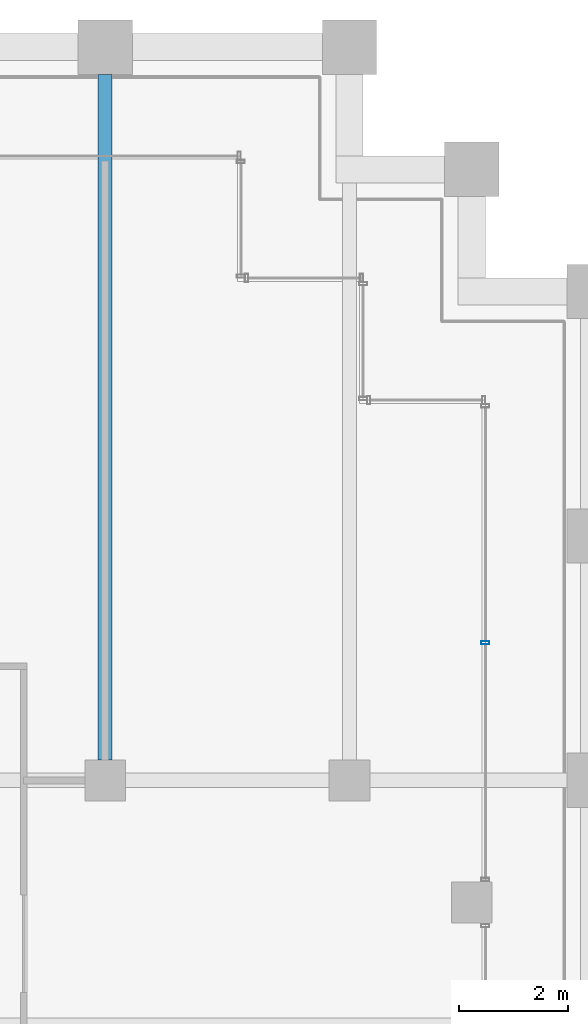
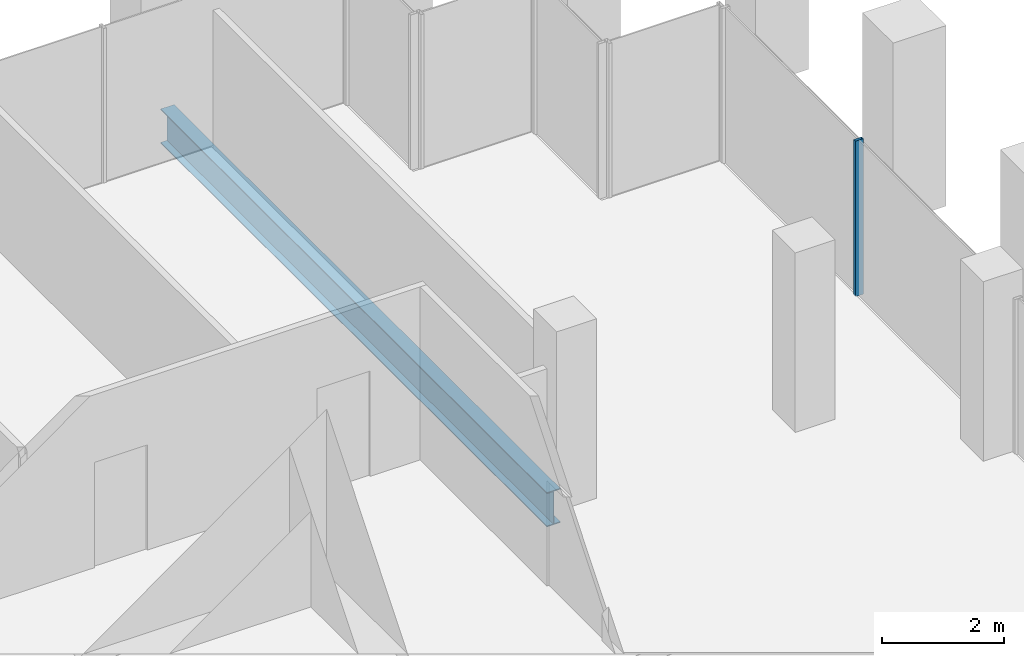
# One storey, part 24 of 46: 1 beam, 1 member, 1 element without a shape of its own.
"""IFC4 building model written with IfcOpenShell, lengths in metres."""

from ifc_helpers import new_model, si_unit, direction, frame, origin, origin_2d, place, context, subcontext, project, spatial, hollow_rectangle, i_section, extrude, material, material_profile, profile_set, type_object, element, aggregate, save


model = new_model("IFC4")

# Units and contexts
model_context = context("Model", 3, precision=1e-05, world=origin(), true_north=direction((0.0, 1.0)))
body_context = subcontext(model_context, "Body", "Model", "MODEL_VIEW")
ifc_project = project(units=[si_unit("LENGTHUNIT", "METRE"), si_unit("AREAUNIT", "SQUARE_METRE"), si_unit("VOLUMEUNIT", "CUBIC_METRE"), si_unit("PLANEANGLEUNIT", "RADIAN"), si_unit("MASSUNIT", "GRAM", prefix="KILO")], contexts=[model_context])

# Site, building, storey
site_placement = place(None, origin())
site = spatial("IfcSite", under=ifc_project, at=site_placement, CompositionType="ELEMENT")
building_placement = place(site_placement, origin())
building = spatial("IfcBuilding", under=site, at=building_placement, Name="Altepetl Exchange Towers", CompositionType="ELEMENT")
storey_placement = place(building_placement, frame((0.0, 0.0, 124.39990234375)))
storey = spatial("IfcBuildingStorey", under=building, at=storey_placement, Name="L30", CompositionType="ELEMENT", Elevation=124.39990234375)

# Beam
ifc_material_1 = material(Name="Steel S355", Category="steel")
ifc_material_profile_1 = material_profile(ifc_material_1, i_section(OverallWidth=0.25390625, OverallDepth=0.68408203125, WebThickness=0.012451171875, FlangeThickness=0.018798828125, at=origin_2d()), Name="W27X94")
ifc_profile_set_1 = profile_set([ifc_material_profile_1], Name="Steel S355")
beam_type = type_object("IfcBeamType", Name="Floor beam W27X94", PredefinedType="BEAM", material=ifc_profile_set_1)
beam_placement = place(storey_placement, frame((63.0, 58.875, -0.491943359375), z_axis=(0.0, 1.0, 0.0), x_axis=(-1.0, 0.0, 0.0)))
element("IfcBeam", 1, at=beam_placement, inside=storey, type_object=beam_type, Name="bm:A:L30:004", PredefinedType="BEAM", context=body_context, shape_type="SweptSolid", body=[
    extrude(i_section(OverallWidth=0.25390625, OverallDepth=0.68408203125, WebThickness=0.012451171875, FlangeThickness=0.018798828125, at=origin_2d()), origin(), (0.0, 0.0, 1.0), 12.625),
])

# Curtain wall, member
ifc_material_2 = material(Name="Aluminium 6063-T6 glazing", Category="aluminium")
curtain_wall_type = type_object("IfcCurtainWallType", Name="Loggia glazing system", PredefinedType="NOTDEFINED", material=ifc_material_2)
curtain_wall_placement = place(storey_placement, origin())
curtain_wall = element("IfcCurtainWall", 2, at=curtain_wall_placement, inside=storey, type_object=curtain_wall_type, Name="CW1 run", PredefinedType="NOTDEFINED")
ifc_material_3 = material(Name="Aluminium 6063-T6", Category="aluminium")
ifc_material_profile_2 = material_profile(ifc_material_3, hollow_rectangle(XDim=0.06005859375, YDim=0.14990234375, WallThickness=0.0029296875, at=origin_2d()), Name="Mullion 60x150 aluminium")
ifc_profile_set_2 = profile_set([ifc_material_profile_2], Name="Aluminium 6063-T6")
member_type = type_object("IfcMemberType", Name="Mullion 60x150 aluminium", PredefinedType="MULLION", material=ifc_profile_set_2)
member_placement = place(storey_placement, frame((70.0, 61.034912109375, 0.0), z_axis=(0.0, 0.0, 1.0), x_axis=(0.0, 1.0, 0.0)))
member = element("IfcMember", 3, at=member_placement, type_object=member_type, Name="MU1 mullion", PredefinedType="MULLION", context=body_context, shape_type="SweptSolid", body=[
    extrude(hollow_rectangle(XDim=0.06005859375, YDim=0.14990234375, WallThickness=0.0029296875, at=origin_2d()), origin(), (0.0, 0.0, 1.0), 3.10009765625),
])
aggregate(curtain_wall, [member])

save(model, "model.ifc")
